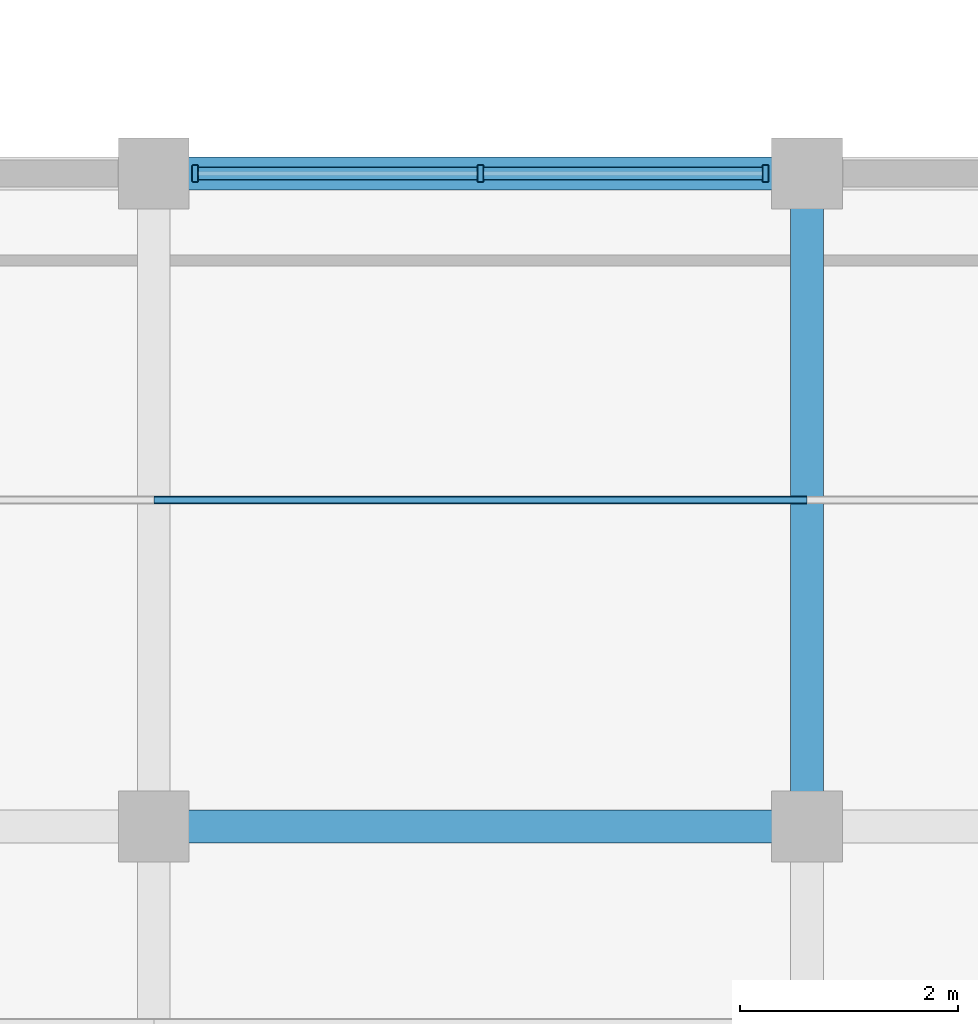
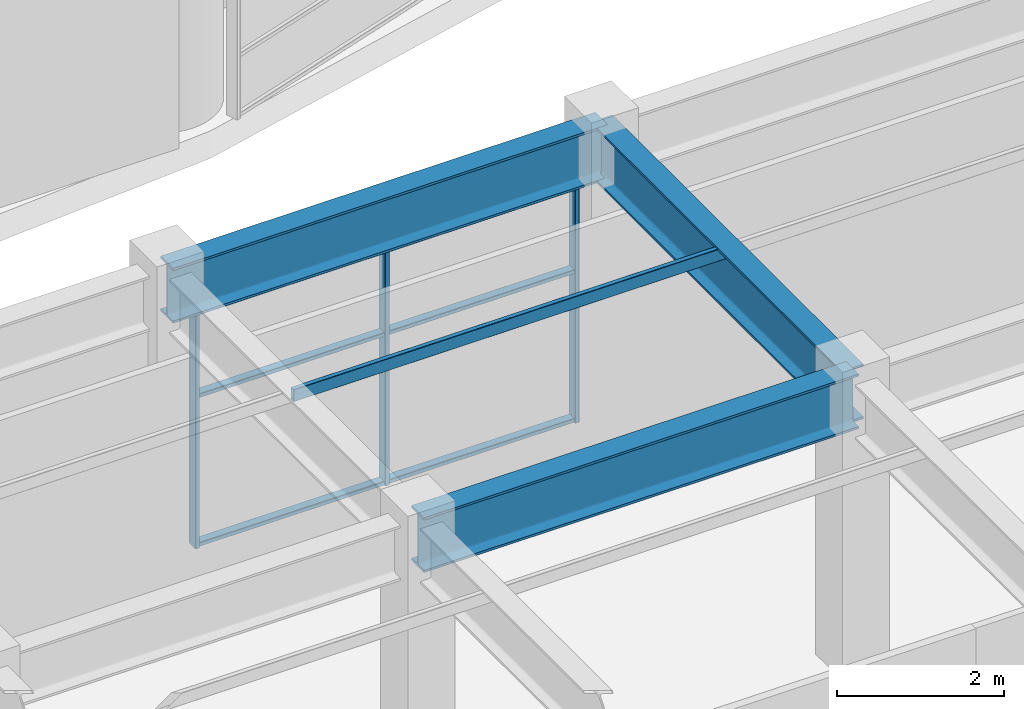
# One storey, part 16 of 46: 10 members, 3 beams, 1 element without a shape of its own.
"""IFC4 building model written with IfcOpenShell, lengths in metres."""

from ifc_helpers import new_model, si_unit, direction, frame, origin, origin_2d, place, context, subcontext, project, spatial, hollow_rectangle, i_section, extrude, material, layer, layer_set, material_profile, profile_set, type_object, element, aggregate, save


model = new_model("IFC4")

# Units and contexts
model_context = context("Model", 3, precision=1e-05, world=origin(), true_north=direction((0.0, 1.0)))
body_context = subcontext(model_context, "Body", "Model", "MODEL_VIEW")
ifc_project = project(units=[si_unit("LENGTHUNIT", "METRE"), si_unit("AREAUNIT", "SQUARE_METRE"), si_unit("VOLUMEUNIT", "CUBIC_METRE"), si_unit("PLANEANGLEUNIT", "RADIAN"), si_unit("MASSUNIT", "GRAM", prefix="KILO")], contexts=[model_context])

# Site, building, storey
site_placement = place(None, origin())
site = spatial("IfcSite", under=ifc_project, at=site_placement, CompositionType="ELEMENT")
building_placement = place(site_placement, origin())
building = spatial("IfcBuilding", under=site, at=building_placement, Name="Kelanora Arch Commons", CompositionType="ELEMENT")
storey_placement = place(building_placement, frame((0.0, 0.0, 18.0)))
storey = spatial("IfcBuildingStorey", under=building, at=storey_placement, Name="L04", CompositionType="ELEMENT", Elevation=18.0)

# Beams
ifc_material_1 = material(Name="Steel S355", Category="steel")
ifc_material_profile_1 = material_profile(ifc_material_1, i_section(OverallWidth=0.300048828125, OverallDepth=0.800048828125, WebThickness=0.017578125, FlangeThickness=0.032958984375, FilletRadius=0.030029296875, at=origin_2d()), Name="HEB800")
ifc_profile_set_1 = profile_set([ifc_material_profile_1], Name="Steel S355")
beam_type = type_object("IfcBeamType", Name="BM-MKT-ROOF", PredefinedType="USERDEFINED", material=ifc_profile_set_1)
for number, where, z_axis, x_axis, name in (
    (1, (74.0, 20.0, 3.860107421875), (1.0, 0.0, 0.0), (0.0, 1.0, 0.0), "Market/Basement Frame Beam 126 L04"),
    (2, (74.0, 26.0, 3.860107421875), (1.0, 0.0, 0.0), (0.0, 1.0, 0.0), "Market/Basement Frame Beam 128 L04"),
    (3, (80.0, 20.0, 3.860107421875), (0.0, 1.0, 0.0), (-1.0, 0.0, 0.0), "Market/Basement Frame Beam 134 L04"),
):
    element("IfcBeam", number, at=place(storey_placement, frame(where, z_axis=z_axis, x_axis=x_axis)), inside=storey, type_object=beam_type, Name=name, ObjectType="TRANSFER_GIRDER", PredefinedType="USERDEFINED", context=body_context, shape_type="SweptSolid", body=[
        extrude(i_section(OverallWidth=0.300048828125, OverallDepth=0.800048828125, WebThickness=0.017578125, FlangeThickness=0.032958984375, FilletRadius=0.030029296875, at=origin_2d()), origin(), (0.0, 0.0, 1.0), 6.0),
    ])

# Curtain wall, members
ifc_material_2 = material(Name="Terracotta ceramic-fritted low-E glass and aluminium", Category="masonry")
ifc_layer = layer(ifc_material_2, 0.16796875)
ifc_layer_set = layer_set([ifc_layer], Name="Terracotta ceramic-fritted low-E glass and aluminium")
curtain_wall_type = type_object("IfcCurtainWallType", Name="CW-SYS-07", PredefinedType="NOTDEFINED", material=ifc_layer_set)
curtain_wall_placement = place(storey_placement, origin())
curtain_wall = element("IfcCurtainWall", 4, at=curtain_wall_placement, inside=storey, type_object=curtain_wall_type, Name="Market Hall Arcade Curtain Wall L04-17", PredefinedType="NOTDEFINED")
ifc_material_3 = material(Name="Powder-coated aluminium terracotta", Category="masonry")
ifc_material_profile_2 = material_profile(ifc_material_3, hollow_rectangle(XDim=0.159912109375, YDim=0.06005859375, WallThickness=0.0048828125, InnerFilletRadius=0.0048828125, OuterFilletRadius=0.010009765625, at=origin_2d()), Name="CWM160x60")
ifc_profile_set_2 = profile_set([ifc_material_profile_2], Name="Powder-coated aluminium terracotta")
member_type_1 = type_object("IfcMemberType", Name="CWM-STD", PredefinedType="MULLION", material=ifc_profile_set_2)
member_1_placement = place(storey_placement, frame((79.6201171875, 26.0, 0.0), z_axis=(0.0, 0.0, 1.0), x_axis=(0.0, -1.0, 0.0)))
member_1 = element("IfcMember", 5, at=member_1_placement, type_object=member_type_1, Name="CW-07 mullion 1", PredefinedType="MULLION", context=body_context, shape_type="SweptSolid", body=[
    extrude(hollow_rectangle(XDim=0.159912109375, YDim=0.06005859375, WallThickness=0.0048828125, InnerFilletRadius=0.0048828125, OuterFilletRadius=0.010009765625, at=origin_2d()), origin(), (0.0, 0.0, 1.0), 3.43994140625),
])
member_2_placement = place(storey_placement, frame((77.0, 26.0, 0.0), z_axis=(0.0, 0.0, 1.0), x_axis=(0.0, -1.0, 0.0)))
member_2 = element("IfcMember", 6, at=member_2_placement, type_object=member_type_1, Name="CW-07 mullion 2", PredefinedType="MULLION", context=body_context, shape_type="SweptSolid", body=[
    extrude(hollow_rectangle(XDim=0.159912109375, YDim=0.06005859375, WallThickness=0.0048828125, InnerFilletRadius=0.0048828125, OuterFilletRadius=0.010009765625, at=origin_2d()), origin(), (0.0, 0.0, 1.0), 3.43994140625),
])
member_3_placement = place(storey_placement, frame((74.3798828125, 26.0, 0.0), z_axis=(0.0, 0.0, 1.0), x_axis=(0.0, -1.0, 0.0)))
member_3 = element("IfcMember", 7, at=member_3_placement, type_object=member_type_1, Name="CW-07 mullion 3", PredefinedType="MULLION", context=body_context, shape_type="SweptSolid", body=[
    extrude(hollow_rectangle(XDim=0.159912109375, YDim=0.06005859375, WallThickness=0.0048828125, InnerFilletRadius=0.0048828125, OuterFilletRadius=0.010009765625, at=origin_2d()), origin(), (0.0, 0.0, 1.0), 3.43994140625),
])
ifc_material_profile_3 = material_profile(ifc_material_3, hollow_rectangle(XDim=0.1201171875, YDim=0.06005859375, WallThickness=0.0048828125, InnerFilletRadius=0.0048828125, OuterFilletRadius=0.010009765625, at=origin_2d()), Name="CWT120x60")
ifc_profile_set_3 = profile_set([ifc_material_profile_3], Name="Powder-coated aluminium terracotta")
member_type_2 = type_object("IfcMemberType", Name="CWT-STD", PredefinedType="USERDEFINED", material=ifc_profile_set_3)
member_4_placement = place(storey_placement, frame((79.590087890625, 26.0, 0.030029296875), z_axis=(-1.0, 0.0, 0.0), x_axis=(0.0, -1.0, 0.0)))
member_4 = element("IfcMember", 8, at=member_4_placement, type_object=member_type_2, Name="CW-07 transom 1.1", ObjectType="TRANSOM", PredefinedType="USERDEFINED", context=body_context, shape_type="SweptSolid", body=[
    extrude(hollow_rectangle(XDim=0.1201171875, YDim=0.06005859375, WallThickness=0.0048828125, InnerFilletRadius=0.0048828125, OuterFilletRadius=0.010009765625, at=origin_2d()), origin(), (0.0, 0.0, 1.0), 2.56005859375),
])
member_5_placement = place(storey_placement, frame((79.590087890625, 26.0, 2.199951171875), z_axis=(-1.0, 0.0, 0.0), x_axis=(0.0, -1.0, 0.0)))
member_5 = element("IfcMember", 9, at=member_5_placement, type_object=member_type_2, Name="CW-07 transom 1.2", ObjectType="TRANSOM", PredefinedType="USERDEFINED", context=body_context, shape_type="SweptSolid", body=[
    extrude(hollow_rectangle(XDim=0.1201171875, YDim=0.06005859375, WallThickness=0.0048828125, InnerFilletRadius=0.0048828125, OuterFilletRadius=0.010009765625, at=origin_2d()), origin(), (0.0, 0.0, 1.0), 2.56005859375),
])
member_6_placement = place(storey_placement, frame((79.590087890625, 26.0, 3.409912109375), z_axis=(-1.0, 0.0, 0.0), x_axis=(0.0, -1.0, 0.0)))
member_6 = element("IfcMember", 10, at=member_6_placement, type_object=member_type_2, Name="CW-07 transom 1.3", ObjectType="TRANSOM", PredefinedType="USERDEFINED", context=body_context, shape_type="SweptSolid", body=[
    extrude(hollow_rectangle(XDim=0.1201171875, YDim=0.06005859375, WallThickness=0.0048828125, InnerFilletRadius=0.0048828125, OuterFilletRadius=0.010009765625, at=origin_2d()), origin(), (0.0, 0.0, 1.0), 2.56005859375),
])
member_7_placement = place(storey_placement, frame((76.969970703125, 26.0, 0.030029296875), z_axis=(-1.0, 0.0, 0.0), x_axis=(0.0, -1.0, 0.0)))
member_7 = element("IfcMember", 11, at=member_7_placement, type_object=member_type_2, Name="CW-07 transom 2.1", ObjectType="TRANSOM", PredefinedType="USERDEFINED", context=body_context, shape_type="SweptSolid", body=[
    extrude(hollow_rectangle(XDim=0.1201171875, YDim=0.06005859375, WallThickness=0.0048828125, InnerFilletRadius=0.0048828125, OuterFilletRadius=0.010009765625, at=origin_2d()), origin(), (0.0, 0.0, 1.0), 2.56005859375),
])
member_8_placement = place(storey_placement, frame((76.969970703125, 26.0, 2.199951171875), z_axis=(-1.0, 0.0, 0.0), x_axis=(0.0, -1.0, 0.0)))
member_8 = element("IfcMember", 12, at=member_8_placement, type_object=member_type_2, Name="CW-07 transom 2.2", ObjectType="TRANSOM", PredefinedType="USERDEFINED", context=body_context, shape_type="SweptSolid", body=[
    extrude(hollow_rectangle(XDim=0.1201171875, YDim=0.06005859375, WallThickness=0.0048828125, InnerFilletRadius=0.0048828125, OuterFilletRadius=0.010009765625, at=origin_2d()), origin(), (0.0, 0.0, 1.0), 2.56005859375),
])
member_9_placement = place(storey_placement, frame((76.969970703125, 26.0, 3.409912109375), z_axis=(-1.0, 0.0, 0.0), x_axis=(0.0, -1.0, 0.0)))
member_9 = element("IfcMember", 13, at=member_9_placement, type_object=member_type_2, Name="CW-07 transom 2.3", ObjectType="TRANSOM", PredefinedType="USERDEFINED", context=body_context, shape_type="SweptSolid", body=[
    extrude(hollow_rectangle(XDim=0.1201171875, YDim=0.06005859375, WallThickness=0.0048828125, InnerFilletRadius=0.0048828125, OuterFilletRadius=0.010009765625, at=origin_2d()), origin(), (0.0, 0.0, 1.0), 2.56005859375),
])
aggregate(curtain_wall, [member_1, member_2, member_3, member_4, member_5, member_6, member_7, member_8, member_9])

# Member
ifc_material_profile_4 = material_profile(ifc_material_1, hollow_rectangle(XDim=0.070068359375, YDim=0.179931640625, WallThickness=0.0048828125, InnerFilletRadius=0.0048828125, OuterFilletRadius=0.010009765625, at=origin_2d()), Name="RHS180x70x5")
ifc_profile_set_4 = profile_set([ifc_material_profile_4], Name="Steel S355")
member_type_3 = type_object("IfcMemberType", Name="MEM-MKT-PURLIN", PredefinedType="PURLIN", material=ifc_profile_set_4)
member_10_placement = place(storey_placement, frame((74.0, 23.0, 4.14990234375), z_axis=(1.0, 0.0, 0.0), x_axis=(0.0, 1.0, 0.0)))
element("IfcMember", 14, at=member_10_placement, inside=storey, type_object=member_type_3, Name="Market Hall Roof Purlin 34", PredefinedType="PURLIN", context=body_context, shape_type="SweptSolid", body=[
    extrude(hollow_rectangle(XDim=0.070068359375, YDim=0.179931640625, WallThickness=0.0048828125, InnerFilletRadius=0.0048828125, OuterFilletRadius=0.010009765625, at=origin_2d()), origin(), (0.0, 0.0, 1.0), 6.0),
])

save(model, "model.ifc")
